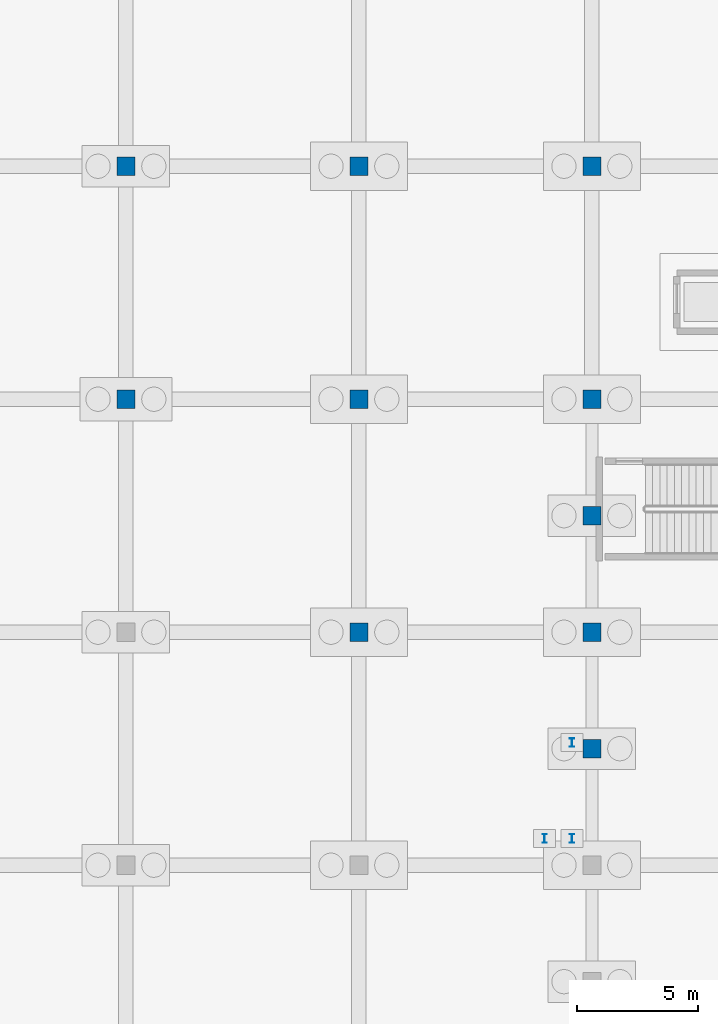
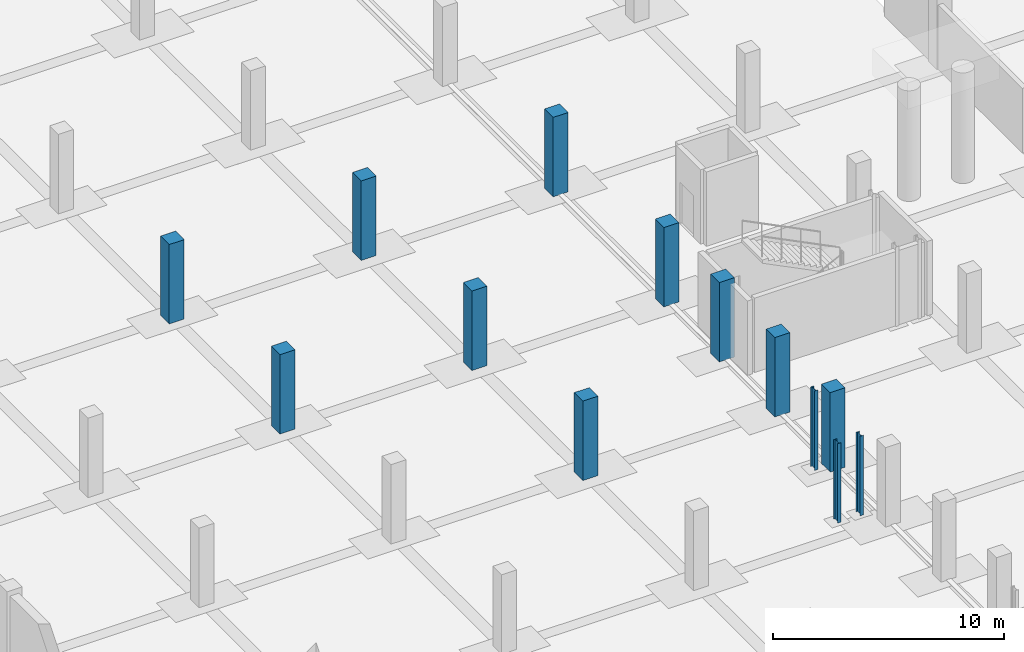
# One storey, part 15 of 54: 13 columns.
"""IFC4 building model written with IfcOpenShell, lengths in metres."""

from ifc_helpers import new_model, si_unit, direction, frame, origin, origin_2d, place, context, subcontext, project, spatial, rectangle, i_section, extrude, material, material_profile, profile_set, type_object, element, save


model = new_model("IFC4")

# Units and contexts
model_context = context("Model", 3, precision=1e-05, world=origin(), true_north=direction((0.0, 1.0)))
body_context = subcontext(model_context, "Body", "Model", "MODEL_VIEW")
ifc_project = project(units=[si_unit("LENGTHUNIT", "METRE"), si_unit("AREAUNIT", "SQUARE_METRE"), si_unit("VOLUMEUNIT", "CUBIC_METRE"), si_unit("PLANEANGLEUNIT", "RADIAN"), si_unit("MASSUNIT", "GRAM", prefix="KILO")], contexts=[model_context])

# Site, building, storey
site_placement = place(None, origin())
site = spatial("IfcSite", under=ifc_project, at=site_placement, CompositionType="ELEMENT")
building_placement = place(site_placement, origin())
building = spatial("IfcBuilding", under=site, at=building_placement, Name="Zevrakil Square Congress Hotel", CompositionType="ELEMENT")
storey_placement = place(building_placement, frame((0.0, 0.0, -8.39990234375)))
storey = spatial("IfcBuildingStorey", under=building, at=storey_placement, Name="B2", CompositionType="ELEMENT", Elevation=-8.39990234375)

# Columns
ifc_material_1 = material(Name="Steel S355", Category="steel")
ifc_material_profile_1 = material_profile(ifc_material_1, i_section(OverallWidth=0.169921875, OverallDepth=0.360107421875, WebThickness=0.008056640625, FlangeThickness=0.0126953125, FilletRadius=0.01806640625, at=origin_2d()), Name="IPE 360")
ifc_profile_set_1 = profile_set([ifc_material_profile_1], Name="Steel S355")
column_type_1 = type_object("IfcColumnType", Name="COL-PILASTER-SHS180", PredefinedType="PILASTER", material=ifc_profile_set_1)
for number, where, z_axis, x_axis, name in (
    (1, (53.25, 27.5, 0.0), (0.0, 0.0, 1.0), (1.0, 0.0, 0.0), "B2 ST13 stair shaft post 1"),
    (2, (54.3798828125, 27.5, 0.0), (0.0, 0.0, 1.0), (1.0, 0.0, 0.0), "B2 ST13 stair shaft post 2"),
    (3, (54.3798828125, 31.449951171875, 0.0), (0.0, 0.0, 1.0), (1.0, 0.0, 0.0), "B2 ST13 stair shaft post 3"),
):
    element("IfcColumn", number, at=place(storey_placement, frame(where, z_axis=z_axis, x_axis=x_axis)), inside=storey, type_object=column_type_1, Name=name, PredefinedType="PILASTER", context=body_context, shape_type="SweptSolid", body=[
        extrude(i_section(OverallWidth=0.169921875, OverallDepth=0.360107421875, WebThickness=0.008056640625, FlangeThickness=0.0126953125, FilletRadius=0.01806640625, at=origin_2d()), origin(), (0.0, 0.0, 1.0), 4.199951171875),
    ])
ifc_material_2 = material(Name="Concrete C40/50", Category="concrete")
ifc_material_profile_2 = material_profile(ifc_material_2, rectangle(XDim=0.75, YDim=0.75, at=origin_2d()), Name="RC 750x750")
ifc_profile_set_2 = profile_set([ifc_material_profile_2], Name="Concrete C40/50")
column_type_2 = type_object("IfcColumnType", Name="COL-RC750", PredefinedType="COLUMN", material=ifc_profile_set_2)
for number, where, z_axis, x_axis, name in (
    (4, (36.0, 45.60009765625, 0.0), (0.0, 0.0, 1.0), (1.0, 0.0, 0.0), "B2 column C-058"),
    (5, (36.0, 55.199951171875, 0.0), (0.0, 0.0, 1.0), (1.0, 0.0, 0.0), "B2 column C-059"),
    (6, (45.60009765625, 36.0, 0.0), (0.0, 0.0, 1.0), (1.0, 0.0, 0.0), "B2 column C-071"),
    (7, (45.60009765625, 45.60009765625, 0.0), (0.0, 0.0, 1.0), (1.0, 0.0, 0.0), "B2 column C-072"),
    (8, (45.60009765625, 55.199951171875, 0.0), (0.0, 0.0, 1.0), (1.0, 0.0, 0.0), "B2 column C-073"),
    (9, (55.199951171875, 31.199951171875, 0.0), (0.0, 0.0, 1.0), (1.0, 0.0, 0.0), "B2 column C-087"),
    (10, (55.199951171875, 36.0, 0.0), (0.0, 0.0, 1.0), (1.0, 0.0, 0.0), "B2 column C-088"),
    (11, (55.199951171875, 40.800048828125, 0.0), (0.0, 0.0, 1.0), (1.0, 0.0, 0.0), "B2 column C-089"),
    (12, (55.199951171875, 45.60009765625, 0.0), (0.0, 0.0, 1.0), (1.0, 0.0, 0.0), "B2 column C-090"),
    (13, (55.199951171875, 55.199951171875, 0.0), (0.0, 0.0, 1.0), (1.0, 0.0, 0.0), "B2 column C-091"),
):
    element("IfcColumn", number, at=place(storey_placement, frame(where, z_axis=z_axis, x_axis=x_axis)), inside=storey, type_object=column_type_2, Name=name, PredefinedType="COLUMN", context=body_context, shape_type="SweptSolid", body=[
        extrude(rectangle(XDim=0.75, YDim=0.75, at=origin_2d()), origin(), (0.0, 0.0, 1.0), 4.199951171875),
    ])

save(model, "model.ifc")
